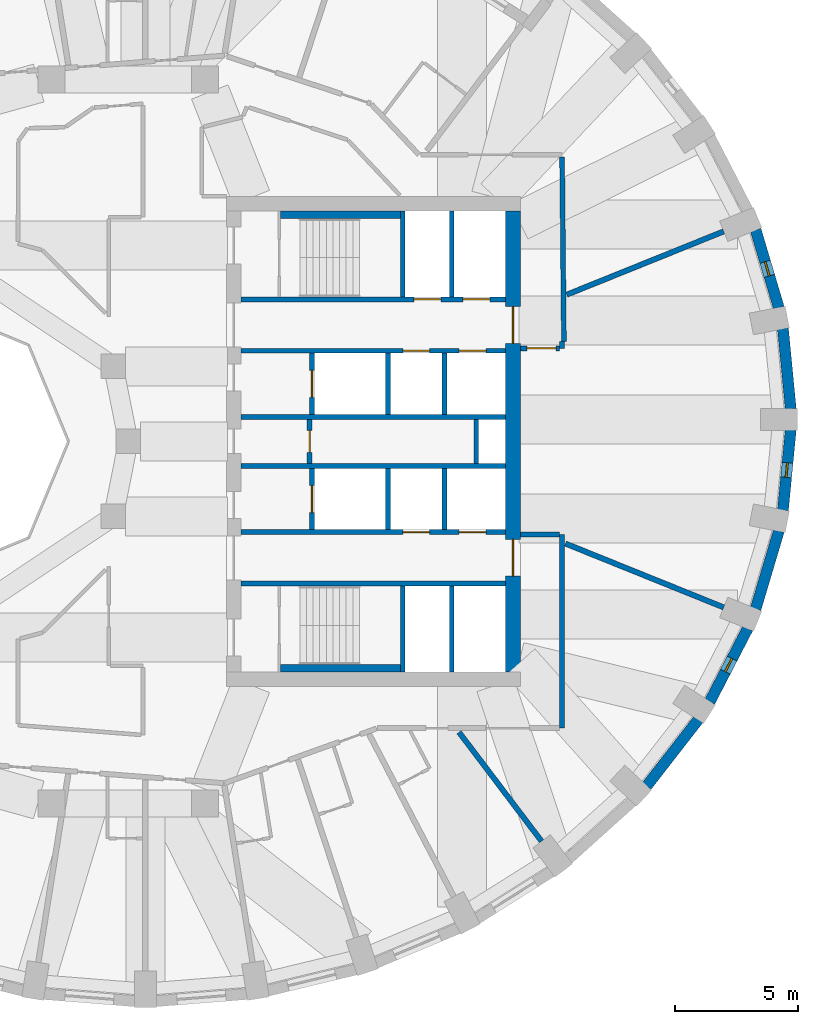
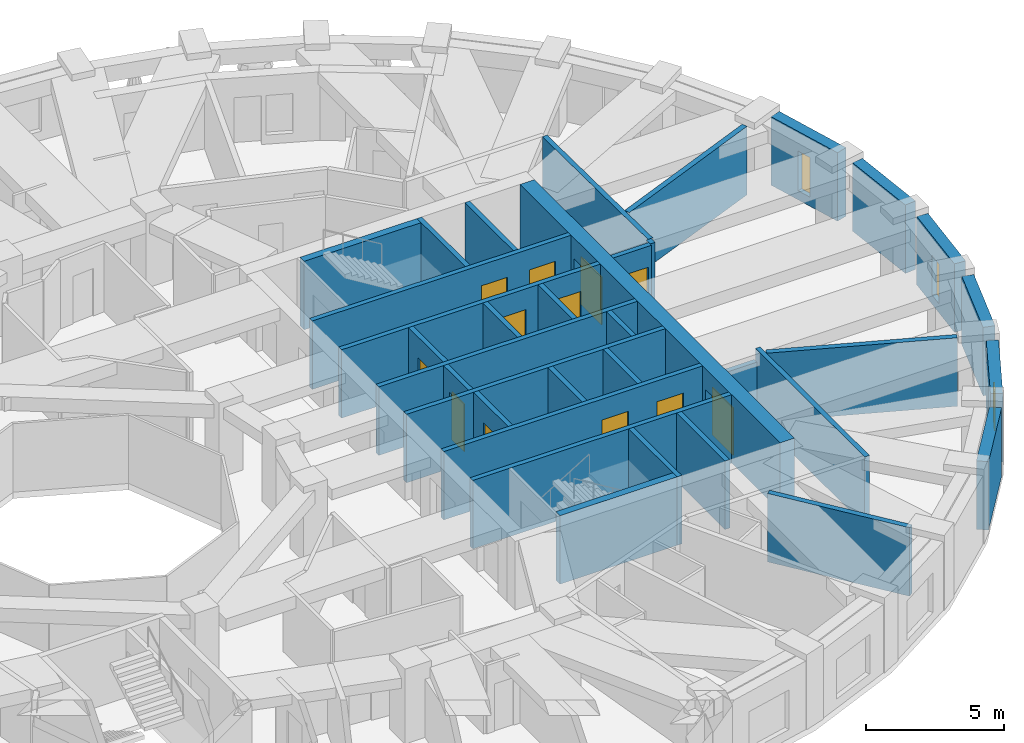
# One storey, part 6 of 12: 35 walls, 12 doors, 3 windows, 15 openings.
"""IFC4 building model written with IfcOpenShell, lengths in metres."""

from ifc_helpers import new_model, si_unit, direction, frame, frame_2d, origin, place, context, subcontext, project, spatial, rectangle, extrude, material, layer, layer_set, type_object, element, fill, save


model = new_model("IFC4")

# Units and contexts
model_context = context("Model", 3, precision=1e-05, world=origin(), true_north=direction((0.0, 1.0)))
body_context = subcontext(model_context, "Body", "Model", "MODEL_VIEW")
ifc_project = project(units=[si_unit("LENGTHUNIT", "METRE"), si_unit("AREAUNIT", "SQUARE_METRE"), si_unit("VOLUMEUNIT", "CUBIC_METRE"), si_unit("PLANEANGLEUNIT", "RADIAN"), si_unit("MASSUNIT", "GRAM", prefix="KILO")], contexts=[model_context])

# Site, building, storey
site_placement = place(None, origin())
site = spatial("IfcSite", under=ifc_project, at=site_placement, CompositionType="ELEMENT")
building_placement = place(site_placement, origin())
building = spatial("IfcBuilding", under=site, at=building_placement, Name="Taillehof Tower", CompositionType="ELEMENT")
storey_placement = place(building_placement, frame((0.0, 0.0, 195.800048828125)))
storey = spatial("IfcBuildingStorey", under=building, at=storey_placement, Name="L55", CompositionType="ELEMENT", Elevation=195.800048828125)

# Wall
ifc_material_1 = material(Name="Brick masonry", Category="masonry")
ifc_layer_1 = layer(ifc_material_1, 0.449951171875)
ifc_layer_set_1 = layer_set([ifc_layer_1], Name="Brick infill wall 450")
wall_type_1 = type_object("IfcWallType", Name="Brick infill wall 450", PredefinedType="SOLIDWALL", material=ifc_layer_set_1)
wall_1_placement = place(storey_placement, frame((27.0322265625, 1.330078125, 0.0), z_axis=(0.0, 0.0, 1.0), x_axis=(-0.096824116835, 0.995301507283, 0.0)))
element("IfcWall", 1, at=wall_1_placement, inside=storey, type_object=wall_type_1, Name="Brick wall L55 bay 1", PredefinedType="SOLIDWALL", context=body_context, shape_type="SweptSolid", body=[
    extrude(rectangle(XDim=3.29296875, YDim=0.449951171875, at=frame_2d((1.646484375, 0.0))), origin(), (0.0, 0.0, 1.0), 3.02001953125),
])

# Wall, opening, window
wall_2_placement = place(storey_placement, frame((26.548095703125, 5.451904296875, 0.0), z_axis=(0.0, 0.0, 1.0), x_axis=(-0.285444972963, 0.958395099847, 0.0)))
wall_2 = element("IfcWall", 2, at=wall_2_placement, inside=storey, type_object=wall_type_1, Name="Brick wall L55 bay 2", PredefinedType="SOLIDWALL", context=body_context, shape_type="SweptSolid", body=[
    extrude(rectangle(XDim=3.3203125, YDim=0.449951171875, at=frame_2d((1.66015625, 0.0))), origin(), (0.0, 0.0, 1.0), 3.02001953125),
])
opening_1_placement = place(wall_2_placement, frame((1.360107421875, 0.0, 0.39990234375)))
opening_1 = element("IfcOpeningElement", 3, at=opening_1_placement, cuts=wall_2, Name="Opening W6", PredefinedType="OPENING", context=body_context, shape_type="SweptSolid", body=[
    extrude(rectangle(XDim=0.60009765625, YDim=1.75, at=frame_2d((0.300048828125, 0.875))), frame((0.0, 0.23486328125, 0.0), z_axis=(0.0, -1.0, 0.0), x_axis=(1.0, 0.0, 0.0)), (0.0, 0.0, 1.0), 0.469970703125),
])
ifc_material_2 = material(Name="Aluminium window frame with clear double glazing", Category="aluminium")
window_type = type_object("IfcWindowType", Name="Slot window 600x1750", PartitioningType="SINGLE_PANEL", PredefinedType="WINDOW", material=ifc_material_2)
window_1_placement = place(opening_1_placement, origin())
window_1 = element("IfcWindow", 4, at=window_1_placement, inside=storey, type_object=window_type, Name="W6", OverallHeight=1.75, OverallWidth=0.60009765625, PartitioningType="SINGLE_PANEL", PredefinedType="WINDOW", context=body_context, shape_type="SweptSolid", body=[
    extrude(rectangle(XDim=0.60009765625, YDim=1.75, at=frame_2d((0.300048828125, 0.875))), frame((0.0, 0.034912109375, 0.0), z_axis=(0.0, -1.0, 0.0), x_axis=(1.0, 0.0, 0.0)), (0.0, 0.0, 1.0), 0.06005859375),
])
fill(opening_1, window_1)

# Wall
wall_3_placement = place(storey_placement, frame((21.1513671875, -14.06103515625, 0.0), z_axis=(0.0, 0.0, 1.0), x_axis=(0.614255239631, 0.789107407509, 0.0)))
element("IfcWall", 5, at=wall_3_placement, inside=storey, type_object=wall_type_1, Name="Brick wall L55 bay 33", PredefinedType="SOLIDWALL", context=body_context, shape_type="SweptSolid", body=[
    extrude(rectangle(XDim=3.4375, YDim=0.449951171875, at=frame_2d((1.71875, 0.0))), origin(), (0.0, 0.0, 1.0), 3.02001953125),
])

# Wall, opening, window
wall_4_placement = place(storey_placement, frame((23.72705078125, -10.6240234375, 0.0), z_axis=(0.0, 0.0, 1.0), x_axis=(0.460175500475, 0.887827972505, 0.0)))
wall_4 = element("IfcWall", 6, at=wall_4_placement, inside=storey, type_object=wall_type_1, Name="Brick wall L55 bay 34", PredefinedType="SOLIDWALL", context=body_context, shape_type="SweptSolid", body=[
    extrude(rectangle(XDim=3.37060546875, YDim=0.449951171875, at=frame_2d((1.685302734375, 0.0))), origin(), (0.0, 0.0, 1.0), 3.02001953125),
])
opening_2_placement = place(wall_4_placement, frame((1.38525390625, 0.0, 0.39990234375)))
opening_2 = element("IfcOpeningElement", 7, at=opening_2_placement, cuts=wall_4, Name="Opening W6", PredefinedType="OPENING", context=body_context, shape_type="SweptSolid", body=[
    extrude(rectangle(XDim=0.60009765625, YDim=1.75, at=frame_2d((0.300048828125, 0.875))), frame((0.0, 0.23486328125, 0.0), z_axis=(0.0, -1.0, 0.0), x_axis=(1.0, 0.0, 0.0)), (0.0, 0.0, 1.0), 0.469970703125),
])
window_2_placement = place(opening_2_placement, origin())
window_2 = element("IfcWindow", 8, at=window_2_placement, inside=storey, type_object=window_type, Name="W6", OverallHeight=1.75, OverallWidth=0.60009765625, PartitioningType="SINGLE_PANEL", PredefinedType="WINDOW", context=body_context, shape_type="SweptSolid", body=[
    extrude(rectangle(XDim=0.60009765625, YDim=1.75, at=frame_2d((0.300048828125, 0.875))), frame((0.0, 0.034912109375, 0.0), z_axis=(0.0, -1.0, 0.0), x_axis=(1.0, 0.0, 0.0)), (0.0, 0.0, 1.0), 0.06005859375),
])
fill(opening_2, window_2)

# Wall
wall_5_placement = place(storey_placement, frame((25.600341796875, -6.833984375, 0.0), z_axis=(0.0, 0.0, 1.0), x_axis=(0.285444972963, 0.958395099847, 0.0)))
element("IfcWall", 9, at=wall_5_placement, inside=storey, type_object=wall_type_1, Name="Brick wall L55 bay 35", PredefinedType="SOLIDWALL", context=body_context, shape_type="SweptSolid", body=[
    extrude(rectangle(XDim=3.3203125, YDim=0.449951171875, at=frame_2d((1.66015625, 0.0))), origin(), (0.0, 0.0, 1.0), 3.02001953125),
])

# Wall, opening, window
wall_6_placement = place(storey_placement, frame((26.71337890625, -2.807861328125, 0.0), z_axis=(0.0, 0.0, 1.0), x_axis=(0.096816972749, 0.995302202242, 0.0)))
wall_6 = element("IfcWall", 10, at=wall_6_placement, inside=storey, type_object=wall_type_1, Name="Brick wall L55 bay 36", PredefinedType="SOLIDWALL", context=body_context, shape_type="SweptSolid", body=[
    extrude(rectangle(XDim=3.293212890625, YDim=0.449951171875, at=frame_2d((1.646484375, 0.0))), origin(), (0.0, 0.0, 1.0), 3.02001953125),
])
opening_3_placement = place(wall_6_placement, frame((1.3466796875, 0.0, 0.39990234375)))
opening_3 = element("IfcOpeningElement", 11, at=opening_3_placement, cuts=wall_6, Name="Opening W6", PredefinedType="OPENING", context=body_context, shape_type="SweptSolid", body=[
    extrude(rectangle(XDim=0.60009765625, YDim=1.75, at=frame_2d((0.300048828125, 0.875))), frame((0.0, 0.23486328125, 0.0), z_axis=(0.0, -1.0, 0.0), x_axis=(1.0, 0.0, 0.0)), (0.0, 0.0, 1.0), 0.469970703125),
])
window_3_placement = place(opening_3_placement, origin())
window_3 = element("IfcWindow", 12, at=window_3_placement, inside=storey, type_object=window_type, Name="W6", OverallHeight=1.75, OverallWidth=0.60009765625, PartitioningType="SINGLE_PANEL", PredefinedType="WINDOW", context=body_context, shape_type="SweptSolid", body=[
    extrude(rectangle(XDim=0.60009765625, YDim=1.75, at=frame_2d((0.300048828125, 0.875))), frame((0.0, 0.034912109375, 0.0), z_axis=(0.0, -1.0, 0.0), x_axis=(1.0, 0.0, 0.0)), (0.0, 0.0, 1.0), 0.06005859375),
])
fill(opening_3, window_3)

# Wall, opening, door
ifc_material_3 = material(Name="Calcium silicate masonry", Category="masonry")
ifc_layer_2 = layer(ifc_material_3, 0.199951171875)
ifc_layer_set_2 = layer_set([ifc_layer_2], Name="Compartment wall calcium silicate 200")
wall_type_2 = type_object("IfcWallType", Name="Compartment wall calcium silicate 200", PredefinedType="PARTITIONING", material=ifc_layer_set_2)
wall_7_placement = place(storey_placement, frame((7.39990234375, -0.89990234375, 0.0), z_axis=(0.0, 0.0, 1.0), x_axis=(0.0, 1.0, 0.0)))
wall_7 = element("IfcWall", 13, at=wall_7_placement, inside=storey, type_object=wall_type_2, Name="Compartment wall FW", PredefinedType="PARTITIONING", context=body_context, shape_type="SweptSolid", body=[
    extrude(rectangle(XDim=1.7998046875, YDim=0.199951171875, at=frame_2d((0.89990234375, 0.0))), origin(), (0.0, 0.0, 1.0), 3.02001953125),
])
opening_4_placement = place(wall_7_placement, frame((0.449951171875, 0.0, 0.0)))
opening_4 = element("IfcOpeningElement", 14, at=opening_4_placement, cuts=wall_7, Name="Opening D5514", PredefinedType="OPENING", context=body_context, shape_type="SweptSolid", body=[
    extrude(rectangle(XDim=0.89990234375, YDim=2.10009765625, at=frame_2d((0.449951171875, 1.050048828125))), frame((0.0, 0.10986328125, 0.0), z_axis=(0.0, -1.0, 0.0), x_axis=(1.0, 0.0, 0.0)), (0.0, 0.0, 1.0), 0.219970703125),
])
ifc_material_4 = material(Name="Steel-faced fire door", Category="steel")
door_type_1 = type_object("IfcDoorType", Name="Riser and service room door 900x2100", OperationType="SINGLE_SWING_LEFT", PredefinedType="DOOR", material=ifc_material_4)
door_1_placement = place(opening_4_placement, origin())
door_1 = element("IfcDoor", 15, at=door_1_placement, inside=storey, type_object=door_type_1, Name="Door Fire Safety Store", OperationType="SINGLE_SWING_RIGHT", OverallHeight=2.10009765625, OverallWidth=0.89990234375, PredefinedType="DOOR", context=body_context, shape_type="SweptSolid", body=[
    extrude(rectangle(XDim=0.89990234375, YDim=2.10009765625, at=frame_2d((0.449951171875, 1.050048828125))), frame((0.0, 0.02490234375, 0.0), z_axis=(0.0, -1.0, 0.0), x_axis=(1.0, 0.0, 0.0)), (0.0, 0.0, 1.0), 0.050048828125),
])
fill(opening_4, door_1)

# Walls
wall_8_placement = place(storey_placement, frame((14.199951171875, -0.89990234375, 0.0), z_axis=(0.0, 0.0, 1.0), x_axis=(0.0, 1.0, 0.0)))
element("IfcWall", 16, at=wall_8_placement, inside=storey, type_object=wall_type_2, Name="Compartment wall FW", PredefinedType="PARTITIONING", context=body_context, shape_type="SweptSolid", body=[
    extrude(rectangle(XDim=1.7998046875, YDim=0.199951171875, at=frame_2d((0.89990234375, 0.0))), origin(), (0.0, 0.0, 1.0), 3.02001953125),
])
ifc_material_5 = material(Name="Gypsum board on steel studs, two layers each side", Category="steel")
ifc_layer_3 = layer(ifc_material_5, 0.199951171875)
ifc_layer_set_3 = layer_set([ifc_layer_3], Name="Compartment wall corridor 200")
wall_type_3 = type_object("IfcWallType", Name="Compartment wall corridor 200", PredefinedType="PARTITIONING", material=ifc_layer_set_3)
wall_9_placement = place(storey_placement, frame((17.699951171875, -3.800048828125, 0.0), z_axis=(0.0, 0.0, 1.0), x_axis=(0.0, -1.0, 0.0)))
element("IfcWall", 17, at=wall_9_placement, inside=storey, type_object=wall_type_3, Name="Compartment wall", PredefinedType="PARTITIONING", context=body_context, shape_type="SweptSolid", body=[
    extrude(rectangle(XDim=7.89990234375, YDim=0.199951171875, at=frame_2d((3.949951171875, 0.0))), origin(), (0.0, 0.0, 1.0), 3.02001953125),
])
wall_10_placement = place(storey_placement, frame((17.701171875, 11.599853515625, 0.0), z_axis=(0.0, 0.0, 1.0), x_axis=(0.009840700525, -0.999951579134, 0.0)))
element("IfcWall", 18, at=wall_10_placement, inside=storey, type_object=wall_type_3, Name="Compartment wall", PredefinedType="PARTITIONING", context=body_context, shape_type="SweptSolid", body=[
    extrude(rectangle(XDim=7.51708984375, YDim=0.199951171875, at=frame_2d((3.758544921875, 0.0))), origin(), (0.0, 0.0, 1.0), 3.02001953125),
])
wall_11_placement = place(storey_placement, frame((17.699951171875, 4.0830078125, 0.0), z_axis=(0.0, 0.0, 1.0), x_axis=(0.0, -1.0, 0.0)))
element("IfcWall", 19, at=wall_11_placement, inside=storey, type_object=wall_type_3, Name="Compartment wall", PredefinedType="PARTITIONING", context=body_context, shape_type="SweptSolid", body=[
    extrude(rectangle(XDim=0.282958984375, YDim=0.199951171875, at=frame_2d((0.1416015625, 0.0))), origin(), (0.0, 0.0, 1.0), 3.02001953125),
])

# Wall, opening, door
wall_12_placement = place(storey_placement, frame((17.599853515625, 3.800048828125, 0.0), z_axis=(0.0, 0.0, 1.0), x_axis=(-1.0, 0.0, 0.0)))
wall_12 = element("IfcWall", 20, at=wall_12_placement, inside=storey, type_object=wall_type_3, Name="Compartment wall", PredefinedType="PARTITIONING", context=body_context, shape_type="SweptSolid", body=[
    extrude(rectangle(XDim=1.595947265625, YDim=0.199951171875, at=frame_2d((0.7978515625, 0.0))), origin(), (0.0, 0.0, 1.0), 3.02001953125),
])
opening_5_placement = place(wall_12_placement, frame((0.139892578125, 0.0, 0.0)))
opening_5 = element("IfcOpeningElement", 21, at=opening_5_placement, cuts=wall_12, Name="Opening D5569", PredefinedType="OPENING", context=body_context, shape_type="SweptSolid", body=[
    extrude(rectangle(XDim=1.199951171875, YDim=2.10009765625, at=frame_2d((0.60009765625, 1.050048828125))), frame((0.0, 0.10986328125, 0.0), z_axis=(0.0, -1.0, 0.0), x_axis=(1.0, 0.0, 0.0)), (0.0, 0.0, 1.0), 0.219970703125),
])
ifc_material_6 = material(Name="Timber door leaf in steel frame", Category="steel")
door_type_2 = type_object("IfcDoorType", Name="Suite entrance door EI 30 1200 x 2100", OperationType="SINGLE_SWING_LEFT", PredefinedType="DOOR", material=ifc_material_6)
door_2_placement = place(opening_5_placement, origin())
door_2 = element("IfcDoor", 22, at=door_2_placement, inside=storey, type_object=door_type_2, Name="D5569", OperationType="SINGLE_SWING_LEFT", OverallHeight=2.10009765625, OverallWidth=1.199951171875, PredefinedType="DOOR", context=body_context, shape_type="SweptSolid", body=[
    extrude(rectangle(XDim=1.199951171875, YDim=2.10009765625, at=frame_2d((0.60009765625, 1.050048828125))), frame((0.0, 0.02490234375, 0.0), z_axis=(0.0, -1.0, 0.0), x_axis=(1.0, 0.0, 0.0)), (0.0, 0.0, 1.0), 0.050048828125),
])
fill(opening_5, door_2)

# Walls
wall_13_placement = place(storey_placement, frame((16.00390625, -3.800048828125, 0.0), z_axis=(0.0, 0.0, 1.0), x_axis=(1.0, 0.0, 0.0)))
element("IfcWall", 23, at=wall_13_placement, inside=storey, type_object=wall_type_3, Name="Compartment wall", PredefinedType="PARTITIONING", context=body_context, shape_type="SweptSolid", body=[
    extrude(rectangle(XDim=1.595947265625, YDim=0.199951171875, at=frame_2d((0.7978515625, 0.0))), origin(), (0.0, 0.0, 1.0), 2.469970703125),
])
ifc_material_7 = material(Name="Gypsum board on double steel studs with mineral wool", Category="steel")
ifc_layer_4 = layer(ifc_material_7, 0.219970703125)
ifc_layer_set_4 = layer_set([ifc_layer_4], Name="Compartment wall guest room 220")
wall_type_4 = type_object("IfcWallType", Name="Compartment wall guest room 220", PredefinedType="PARTITIONING", material=ifc_layer_set_4)
wall_14_placement = place(storey_placement, frame((24.29541015625, 8.5712890625, 0.0), z_axis=(0.0, 0.0, 1.0), x_axis=(-0.927397147779, -0.374078240869, 0.0)))
element("IfcWall", 24, at=wall_14_placement, inside=storey, type_object=wall_type_4, Name="Compartment wall", PredefinedType="PARTITIONING", context=body_context, shape_type="SweptSolid", body=[
    extrude(rectangle(XDim=6.903076171875, YDim=0.219970703125, at=frame_2d((3.45166015625, 0.0))), origin(), (0.0, 0.0, 1.0), 3.02001953125),
])
wall_15_placement = place(storey_placement, frame((16.86328125, -16.3125, 0.0), z_axis=(0.0, 0.0, 1.0), x_axis=(-0.603626861738, 0.797266963939, 0.0)))
element("IfcWall", 25, at=wall_15_placement, inside=storey, type_object=wall_type_4, Name="Compartment wall", PredefinedType="PARTITIONING", context=body_context, shape_type="SweptSolid", body=[
    extrude(rectangle(XDim=5.580322265625, YDim=0.219970703125, at=frame_2d((2.7900390625, 0.0))), origin(), (0.0, 0.0, 1.0), 3.02001953125),
])
wall_16_placement = place(storey_placement, frame((24.29541015625, -6.771484375, 0.0), z_axis=(0.0, 0.0, 1.0), x_axis=(-0.927387137769, 0.374103056256, 0.0)))
element("IfcWall", 26, at=wall_16_placement, inside=storey, type_object=wall_type_4, Name="Compartment wall", PredefinedType="PARTITIONING", context=body_context, shape_type="SweptSolid", body=[
    extrude(rectangle(XDim=6.9638671875, YDim=0.219970703125, at=frame_2d((3.48193359375, 0.0))), origin(), (0.0, 0.0, 1.0), 3.02001953125),
])
ifc_material_8 = material(Name="Calcium silicate masonry", Category="masonry")
ifc_layer_5 = layer(ifc_material_8, 0.300048828125)
ifc_layer_set_5 = layer_set([ifc_layer_5], Name="Compartment wall lining calcium silicate 300")
wall_type_5 = type_object("IfcWallType", Name="Compartment wall lining calcium silicate 300", PredefinedType="PARTITIONING", material=ifc_layer_set_5)
for number, where, z_axis, x_axis, name in (
    (27, (6.219970703125, 9.25, 0.0), (0.0, 0.0, 1.0), (1.0, 0.0, 0.0), "Compartment wall FW"),
    (28, (6.219970703125, -9.25, 0.0), (0.0, 0.0, 1.0), (1.0, 0.0, 0.0), "Compartment wall FW"),
):
    element("IfcWall", number, at=place(storey_placement, frame(where, z_axis=z_axis, x_axis=x_axis)), inside=storey, type_object=wall_type_5, Name=name, PredefinedType="PARTITIONING", context=body_context, shape_type="SweptSolid", body=[
        extrude(rectangle(XDim=4.880126953125, YDim=0.300048828125, at=frame_2d((2.43994140625, 0.0))), origin(), (0.0, 0.0, 1.0), 3.02001953125),
    ])

# Wall, openings, doors
ifc_material_9 = material(Name="Concrete C80/95", Category="concrete")
ifc_layer_6 = layer(ifc_material_9, 0.60009765625)
ifc_layer_set_6 = layer_set([ifc_layer_6], Name="Core wall C80/95 600")
wall_type_6 = type_object("IfcWallType", Name="Core wall C80/95 600", PredefinedType="SHEAR", material=ifc_layer_set_6)
wall_17_placement = place(storey_placement, frame((15.699951171875, -9.39990234375, 0.0), z_axis=(0.0, 0.0, 1.0), x_axis=(0.0, 1.0, 0.0)))
wall_17 = element("IfcWall", 29, at=wall_17_placement, inside=storey, type_object=wall_type_6, Name="Core wall CW05", PredefinedType="SHEAR", context=body_context, shape_type="SweptSolid", body=[
    extrude(rectangle(XDim=18.7998046875, YDim=0.60009765625, at=frame_2d((9.39990234375, 0.0))), origin(), (0.0, 0.0, 1.0), 3.02001953125),
])
opening_6_placement = place(wall_17_placement, frame((13.39990234375, 0.0, 0.0)))
opening_6 = element("IfcOpeningElement", 30, at=opening_6_placement, cuts=wall_17, Name="Opening D5508", PredefinedType="OPENING", context=body_context, shape_type="SweptSolid", body=[
    extrude(rectangle(XDim=1.5, YDim=2.10009765625, at=frame_2d((0.75, 1.050048828125))), frame((0.0, 0.31005859375, 0.0), z_axis=(0.0, -1.0, 0.0), x_axis=(1.0, 0.0, 0.0)), (0.0, 0.0, 1.0), 0.6201171875),
])
opening_7_placement = place(wall_17_placement, frame((3.89990234375, 0.0, 0.0)))
opening_7 = element("IfcOpeningElement", 31, at=opening_7_placement, cuts=wall_17, Name="Opening D5509", PredefinedType="OPENING", context=body_context, shape_type="SweptSolid", body=[
    extrude(rectangle(XDim=1.5, YDim=2.10009765625, at=frame_2d((0.75, 1.050048828125))), frame((0.0, 0.31005859375, 0.0), z_axis=(0.0, -1.0, 0.0), x_axis=(1.0, 0.0, 0.0)), (0.0, 0.0, 1.0), 0.6201171875),
])
ifc_material_10 = material(Name="Steel-faced fire door", Category="steel")
door_type_3 = type_object("IfcDoorType", Name="Lift lobby east door 1500x2100", OperationType="DOUBLE_DOOR_SINGLE_SWING", PredefinedType="DOOR", material=ifc_material_10)
door_3_placement = place(opening_6_placement, origin())
door_3 = element("IfcDoor", 32, at=door_3_placement, inside=storey, type_object=door_type_3, Name="Lift lobby east door north", OperationType="DOUBLE_DOOR_SINGLE_SWING", OverallHeight=2.10009765625, OverallWidth=1.5, PredefinedType="DOOR", context=body_context, shape_type="SweptSolid", body=[
    extrude(rectangle(XDim=1.5, YDim=2.10009765625, at=frame_2d((0.75, 1.050048828125))), frame((0.0, 0.02490234375, 0.0), z_axis=(0.0, -1.0, 0.0), x_axis=(1.0, 0.0, 0.0)), (0.0, 0.0, 1.0), 0.050048828125),
])
fill(opening_6, door_3)
door_4_placement = place(opening_7_placement, origin())
door_4 = element("IfcDoor", 33, at=door_4_placement, inside=storey, type_object=door_type_3, Name="Lift lobby east door south", OperationType="DOUBLE_DOOR_SINGLE_SWING", OverallHeight=2.10009765625, OverallWidth=1.5, PredefinedType="DOOR", context=body_context, shape_type="SweptSolid", body=[
    extrude(rectangle(XDim=1.5, YDim=2.10009765625, at=frame_2d((0.75, 1.050048828125))), frame((0.0, 0.02490234375, 0.0), z_axis=(0.0, -1.0, 0.0), x_axis=(1.0, 0.0, 0.0)), (0.0, 0.0, 1.0), 0.050048828125),
])
fill(opening_7, door_4)

ifc_material_11 = material(Name="Concrete C50/60", Category="concrete")
ifc_layer_7 = layer(ifc_material_11, 0.199951171875)
ifc_layer_set_7 = layer_set([ifc_layer_7], Name="Shaft wall C50/60 200")
wall_type_7 = type_object("IfcWallType", Name="Shaft wall C50/60 200", PredefinedType="SHEAR", material=ifc_layer_set_7)
wall_18_placement = place(storey_placement, frame((4.60009765625, 5.800048828125, 0.0), z_axis=(0.0, 0.0, 1.0), x_axis=(1.0, 0.0, 0.0)))
wall_18 = element("IfcWall", 34, at=wall_18_placement, inside=storey, type_object=wall_type_7, Name="Shaft wall SW", PredefinedType="SHEAR", context=body_context, shape_type="SweptSolid", body=[
    extrude(rectangle(XDim=10.7998046875, YDim=0.199951171875, at=frame_2d((5.39990234375, 0.0))), origin(), (0.0, 0.0, 1.0), 3.02001953125),
])
opening_8_placement = place(wall_18_placement, frame((7.050048828125, 0.0, 0.0)))
opening_8 = element("IfcOpeningElement", 35, at=opening_8_placement, cuts=wall_18, Name="Opening LD1", PredefinedType="OPENING", context=body_context, shape_type="SweptSolid", body=[
    extrude(rectangle(XDim=1.10009765625, YDim=2.10009765625, at=frame_2d((0.550048828125, 1.050048828125))), frame((0.0, 0.10986328125, 0.0), z_axis=(0.0, -1.0, 0.0), x_axis=(1.0, 0.0, 0.0)), (0.0, 0.0, 1.0), 0.219970703125),
])
opening_9_placement = place(wall_18_placement, frame((9.050048828125, 0.0, 0.0)))
opening_9 = element("IfcOpeningElement", 36, at=opening_9_placement, cuts=wall_18, Name="Opening LD1", PredefinedType="OPENING", context=body_context, shape_type="SweptSolid", body=[
    extrude(rectangle(XDim=1.10009765625, YDim=2.10009765625, at=frame_2d((0.550048828125, 1.050048828125))), frame((0.0, 0.10986328125, 0.0), z_axis=(0.0, -1.0, 0.0), x_axis=(1.0, 0.0, 0.0)), (0.0, 0.0, 1.0), 0.219970703125),
])
ifc_material_12 = material(Name="Stainless steel", Category="steel")
door_type_4 = type_object("IfcDoorType", Name="Lift landing door LD1 1100x2100", OperationType="DOUBLE_DOOR_SLIDING", PredefinedType="DOOR", material=ifc_material_12)
door_5_placement = place(opening_8_placement, origin())
door_5 = element("IfcDoor", 37, at=door_5_placement, inside=storey, type_object=door_type_4, Name="Landing door HR1", OperationType="DOUBLE_DOOR_SLIDING", OverallHeight=2.10009765625, OverallWidth=1.10009765625, PredefinedType="DOOR", context=body_context, shape_type="SweptSolid", body=[
    extrude(rectangle(XDim=1.10009765625, YDim=2.10009765625, at=frame_2d((0.550048828125, 1.050048828125))), frame((0.0, 0.02490234375, 0.0), z_axis=(0.0, -1.0, 0.0), x_axis=(1.0, 0.0, 0.0)), (0.0, 0.0, 1.0), 0.050048828125),
])
fill(opening_8, door_5)
door_6_placement = place(opening_9_placement, origin())
door_6 = element("IfcDoor", 38, at=door_6_placement, inside=storey, type_object=door_type_4, Name="Landing door HR2", OperationType="DOUBLE_DOOR_SLIDING", OverallHeight=2.10009765625, OverallWidth=1.10009765625, PredefinedType="DOOR", context=body_context, shape_type="SweptSolid", body=[
    extrude(rectangle(XDim=1.10009765625, YDim=2.10009765625, at=frame_2d((0.550048828125, 1.050048828125))), frame((0.0, 0.02490234375, 0.0), z_axis=(0.0, -1.0, 0.0), x_axis=(1.0, 0.0, 0.0)), (0.0, 0.0, 1.0), 0.050048828125),
])
fill(opening_9, door_6)

wall_19_placement = place(storey_placement, frame((4.60009765625, 3.699951171875, 0.0), z_axis=(0.0, 0.0, 1.0), x_axis=(1.0, 0.0, 0.0)))
wall_19 = element("IfcWall", 39, at=wall_19_placement, inside=storey, type_object=wall_type_7, Name="Shaft wall SW", PredefinedType="SHEAR", context=body_context, shape_type="SweptSolid", body=[
    extrude(rectangle(XDim=10.7998046875, YDim=0.199951171875, at=frame_2d((5.39990234375, 0.0))), origin(), (0.0, 0.0, 1.0), 3.02001953125),
])
opening_10_placement = place(wall_19_placement, frame((6.60009765625, 0.0, 0.0)))
opening_10 = element("IfcOpeningElement", 40, at=opening_10_placement, cuts=wall_19, Name="Opening LD1", PredefinedType="OPENING", context=body_context, shape_type="SweptSolid", body=[
    extrude(rectangle(XDim=1.10009765625, YDim=2.10009765625, at=frame_2d((0.550048828125, 1.050048828125))), frame((0.0, 0.10986328125, 0.0), z_axis=(0.0, -1.0, 0.0), x_axis=(1.0, 0.0, 0.0)), (0.0, 0.0, 1.0), 0.219970703125),
])
opening_11_placement = place(wall_19_placement, frame((8.89990234375, 0.0, 0.0)))
opening_11 = element("IfcOpeningElement", 41, at=opening_11_placement, cuts=wall_19, Name="Opening LD1", PredefinedType="OPENING", context=body_context, shape_type="SweptSolid", body=[
    extrude(rectangle(XDim=1.10009765625, YDim=2.10009765625, at=frame_2d((0.550048828125, 1.050048828125))), frame((0.0, 0.10986328125, 0.0), z_axis=(0.0, -1.0, 0.0), x_axis=(1.0, 0.0, 0.0)), (0.0, 0.0, 1.0), 0.219970703125),
])
door_7_placement = place(opening_10_placement, origin())
door_7 = element("IfcDoor", 42, at=door_7_placement, inside=storey, type_object=door_type_4, Name="Landing door HR3", OperationType="DOUBLE_DOOR_SLIDING", OverallHeight=2.10009765625, OverallWidth=1.10009765625, PredefinedType="DOOR", context=body_context, shape_type="SweptSolid", body=[
    extrude(rectangle(XDim=1.10009765625, YDim=2.10009765625, at=frame_2d((0.550048828125, 1.050048828125))), frame((0.0, 0.02490234375, 0.0), z_axis=(0.0, -1.0, 0.0), x_axis=(1.0, 0.0, 0.0)), (0.0, 0.0, 1.0), 0.050048828125),
])
fill(opening_10, door_7)
door_8_placement = place(opening_11_placement, origin())
door_8 = element("IfcDoor", 43, at=door_8_placement, inside=storey, type_object=door_type_4, Name="Landing door HR4", OperationType="DOUBLE_DOOR_SLIDING", OverallHeight=2.10009765625, OverallWidth=1.10009765625, PredefinedType="DOOR", context=body_context, shape_type="SweptSolid", body=[
    extrude(rectangle(XDim=1.10009765625, YDim=2.10009765625, at=frame_2d((0.550048828125, 1.050048828125))), frame((0.0, 0.02490234375, 0.0), z_axis=(0.0, -1.0, 0.0), x_axis=(1.0, 0.0, 0.0)), (0.0, 0.0, 1.0), 0.050048828125),
])
fill(opening_11, door_8)

# Walls
for number, where, z_axis, x_axis, name in (
    (44, (4.60009765625, 1.0, 0.0), (0.0, 0.0, 1.0), (1.0, 0.0, 0.0), "Shaft wall SW"),
    (45, (4.60009765625, -1.0, 0.0), (0.0, 0.0, 1.0), (1.0, 0.0, 0.0), "Shaft wall SW"),
):
    element("IfcWall", number, at=place(storey_placement, frame(where, z_axis=z_axis, x_axis=x_axis)), inside=storey, type_object=wall_type_7, Name=name, PredefinedType="SHEAR", context=body_context, shape_type="SweptSolid", body=[
        extrude(rectangle(XDim=10.7998046875, YDim=0.199951171875, at=frame_2d((5.39990234375, 0.0))), origin(), (0.0, 0.0, 1.0), 3.02001953125),
    ])

# Wall, openings, doors
wall_20_placement = place(storey_placement, frame((4.60009765625, -3.699951171875, 0.0), z_axis=(0.0, 0.0, 1.0), x_axis=(1.0, 0.0, 0.0)))
wall_20 = element("IfcWall", 46, at=wall_20_placement, inside=storey, type_object=wall_type_7, Name="Shaft wall SW", PredefinedType="SHEAR", context=body_context, shape_type="SweptSolid", body=[
    extrude(rectangle(XDim=10.7998046875, YDim=0.199951171875, at=frame_2d((5.39990234375, 0.0))), origin(), (0.0, 0.0, 1.0), 3.02001953125),
])
opening_12_placement = place(wall_20_placement, frame((6.60009765625, 0.0, 0.0)))
opening_12 = element("IfcOpeningElement", 47, at=opening_12_placement, cuts=wall_20, Name="Opening LD1", PredefinedType="OPENING", context=body_context, shape_type="SweptSolid", body=[
    extrude(rectangle(XDim=1.10009765625, YDim=2.10009765625, at=frame_2d((0.550048828125, 1.050048828125))), frame((0.0, 0.10986328125, 0.0), z_axis=(0.0, -1.0, 0.0), x_axis=(1.0, 0.0, 0.0)), (0.0, 0.0, 1.0), 0.219970703125),
])
opening_13_placement = place(wall_20_placement, frame((8.89990234375, 0.0, 0.0)))
opening_13 = element("IfcOpeningElement", 48, at=opening_13_placement, cuts=wall_20, Name="Opening LD1", PredefinedType="OPENING", context=body_context, shape_type="SweptSolid", body=[
    extrude(rectangle(XDim=1.10009765625, YDim=2.10009765625, at=frame_2d((0.550048828125, 1.050048828125))), frame((0.0, 0.10986328125, 0.0), z_axis=(0.0, -1.0, 0.0), x_axis=(1.0, 0.0, 0.0)), (0.0, 0.0, 1.0), 0.219970703125),
])
door_9_placement = place(opening_12_placement, origin())
door_9 = element("IfcDoor", 49, at=door_9_placement, inside=storey, type_object=door_type_4, Name="Landing door HR5", OperationType="DOUBLE_DOOR_SLIDING", OverallHeight=2.10009765625, OverallWidth=1.10009765625, PredefinedType="DOOR", context=body_context, shape_type="SweptSolid", body=[
    extrude(rectangle(XDim=1.10009765625, YDim=2.10009765625, at=frame_2d((0.550048828125, 1.050048828125))), frame((0.0, 0.02490234375, 0.0), z_axis=(0.0, -1.0, 0.0), x_axis=(1.0, 0.0, 0.0)), (0.0, 0.0, 1.0), 0.050048828125),
])
fill(opening_12, door_9)
door_10_placement = place(opening_13_placement, origin())
door_10 = element("IfcDoor", 50, at=door_10_placement, inside=storey, type_object=door_type_4, Name="Landing door HR6", OperationType="DOUBLE_DOOR_SLIDING", OverallHeight=2.10009765625, OverallWidth=1.10009765625, PredefinedType="DOOR", context=body_context, shape_type="SweptSolid", body=[
    extrude(rectangle(XDim=1.10009765625, YDim=2.10009765625, at=frame_2d((0.550048828125, 1.050048828125))), frame((0.0, 0.02490234375, 0.0), z_axis=(0.0, -1.0, 0.0), x_axis=(1.0, 0.0, 0.0)), (0.0, 0.0, 1.0), 0.050048828125),
])
fill(opening_13, door_10)

# Walls
wall_21_placement = place(storey_placement, frame((4.60009765625, -5.800048828125, 0.0), z_axis=(0.0, 0.0, 1.0), x_axis=(1.0, 0.0, 0.0)))
element("IfcWall", 51, at=wall_21_placement, inside=storey, type_object=wall_type_7, Name="Shaft wall SW", PredefinedType="SHEAR", context=body_context, shape_type="SweptSolid", body=[
    extrude(rectangle(XDim=10.7998046875, YDim=0.199951171875, at=frame_2d((5.39990234375, 0.0))), origin(), (0.0, 0.0, 1.0), 3.02001953125),
])
for number, where, z_axis, x_axis, name in (
    (52, (11.199951171875, 5.89990234375, 0.0), (0.0, 0.0, 1.0), (0.0, 1.0, 0.0), "Shaft wall SW"),
    (53, (11.199951171875, -9.39990234375, 0.0), (0.0, 0.0, 1.0), (0.0, 1.0, 0.0), "Shaft wall SW"),
    (54, (13.199951171875, 5.89990234375, 0.0), (0.0, 0.0, 1.0), (0.0, 1.0, 0.0), "Shaft wall SW"),
    (55, (13.199951171875, -9.39990234375, 0.0), (0.0, 0.0, 1.0), (0.0, 1.0, 0.0), "Shaft wall SW"),
):
    element("IfcWall", number, at=place(storey_placement, frame(where, z_axis=z_axis, x_axis=x_axis)), inside=storey, type_object=wall_type_7, Name=name, PredefinedType="SHEAR", context=body_context, shape_type="SweptSolid", body=[
        extrude(rectangle(XDim=3.5, YDim=0.199951171875, at=frame_2d((1.75, 0.0))), origin(), (0.0, 0.0, 1.0), 3.02001953125),
    ])

# Wall, opening, door
wall_22_placement = place(storey_placement, frame((7.5, 1.10009765625, 0.0), z_axis=(0.0, 0.0, 1.0), x_axis=(0.0, 1.0, 0.0)))
wall_22 = element("IfcWall", 56, at=wall_22_placement, inside=storey, type_object=wall_type_7, Name="Shaft wall SW", PredefinedType="SHEAR", context=body_context, shape_type="SweptSolid", body=[
    extrude(rectangle(XDim=2.5, YDim=0.199951171875, at=frame_2d((1.25, 0.0))), origin(), (0.0, 0.0, 1.0), 3.02001953125),
])
opening_14_placement = place(wall_22_placement, frame((0.699951171875, 0.0, 0.0)))
opening_14 = element("IfcOpeningElement", 57, at=opening_14_placement, cuts=wall_22, Name="Opening LD1", PredefinedType="OPENING", context=body_context, shape_type="SweptSolid", body=[
    extrude(rectangle(XDim=1.10009765625, YDim=2.10009765625, at=frame_2d((0.550048828125, 1.050048828125))), frame((0.0, 0.10986328125, 0.0), z_axis=(0.0, -1.0, 0.0), x_axis=(1.0, 0.0, 0.0)), (0.0, 0.0, 1.0), 0.219970703125),
])
door_11_placement = place(opening_14_placement, origin())
door_11 = element("IfcDoor", 58, at=door_11_placement, inside=storey, type_object=door_type_4, Name="Landing door FF1", OperationType="DOUBLE_DOOR_SLIDING", OverallHeight=2.10009765625, OverallWidth=1.10009765625, PredefinedType="DOOR", context=body_context, shape_type="SweptSolid", body=[
    extrude(rectangle(XDim=1.10009765625, YDim=2.10009765625, at=frame_2d((0.550048828125, 1.050048828125))), frame((0.0, 0.02490234375, 0.0), z_axis=(0.0, -1.0, 0.0), x_axis=(1.0, 0.0, 0.0)), (0.0, 0.0, 1.0), 0.050048828125),
])
fill(opening_14, door_11)

wall_23_placement = place(storey_placement, frame((7.5, -3.60009765625, 0.0), z_axis=(0.0, 0.0, 1.0), x_axis=(0.0, 1.0, 0.0)))
wall_23 = element("IfcWall", 59, at=wall_23_placement, inside=storey, type_object=wall_type_7, Name="Shaft wall SW", PredefinedType="SHEAR", context=body_context, shape_type="SweptSolid", body=[
    extrude(rectangle(XDim=2.5, YDim=0.199951171875, at=frame_2d((1.25, 0.0))), origin(), (0.0, 0.0, 1.0), 3.02001953125),
])
opening_15_placement = place(wall_23_placement, frame((0.699951171875, 0.0, 0.0)))
opening_15 = element("IfcOpeningElement", 60, at=opening_15_placement, cuts=wall_23, Name="Opening LD1", PredefinedType="OPENING", context=body_context, shape_type="SweptSolid", body=[
    extrude(rectangle(XDim=1.10009765625, YDim=2.10009765625, at=frame_2d((0.550048828125, 1.050048828125))), frame((0.0, 0.10986328125, 0.0), z_axis=(0.0, -1.0, 0.0), x_axis=(1.0, 0.0, 0.0)), (0.0, 0.0, 1.0), 0.219970703125),
])
door_12_placement = place(opening_15_placement, origin())
door_12 = element("IfcDoor", 61, at=door_12_placement, inside=storey, type_object=door_type_4, Name="Landing door FF2", OperationType="DOUBLE_DOOR_SLIDING", OverallHeight=2.10009765625, OverallWidth=1.10009765625, PredefinedType="DOOR", context=body_context, shape_type="SweptSolid", body=[
    extrude(rectangle(XDim=1.10009765625, YDim=2.10009765625, at=frame_2d((0.550048828125, 1.050048828125))), frame((0.0, 0.02490234375, 0.0), z_axis=(0.0, -1.0, 0.0), x_axis=(1.0, 0.0, 0.0)), (0.0, 0.0, 1.0), 0.050048828125),
])
fill(opening_15, door_12)

# Walls
for number, where, z_axis, x_axis, name in (
    (62, (10.60009765625, 1.10009765625, 0.0), (0.0, 0.0, 1.0), (0.0, 1.0, 0.0), "Shaft wall SW"),
    (63, (10.60009765625, -3.60009765625, 0.0), (0.0, 0.0, 1.0), (0.0, 1.0, 0.0), "Shaft wall SW"),
    (64, (12.89990234375, 1.10009765625, 0.0), (0.0, 0.0, 1.0), (0.0, 1.0, 0.0), "Shaft wall SW"),
    (65, (12.89990234375, -3.60009765625, 0.0), (0.0, 0.0, 1.0), (0.0, 1.0, 0.0), "Shaft wall SW"),
):
    element("IfcWall", number, at=place(storey_placement, frame(where, z_axis=z_axis, x_axis=x_axis)), inside=storey, type_object=wall_type_7, Name=name, PredefinedType="SHEAR", context=body_context, shape_type="SweptSolid", body=[
        extrude(rectangle(XDim=2.5, YDim=0.199951171875, at=frame_2d((1.25, 0.0))), origin(), (0.0, 0.0, 1.0), 3.02001953125),
    ])

save(model, "model.ifc")
